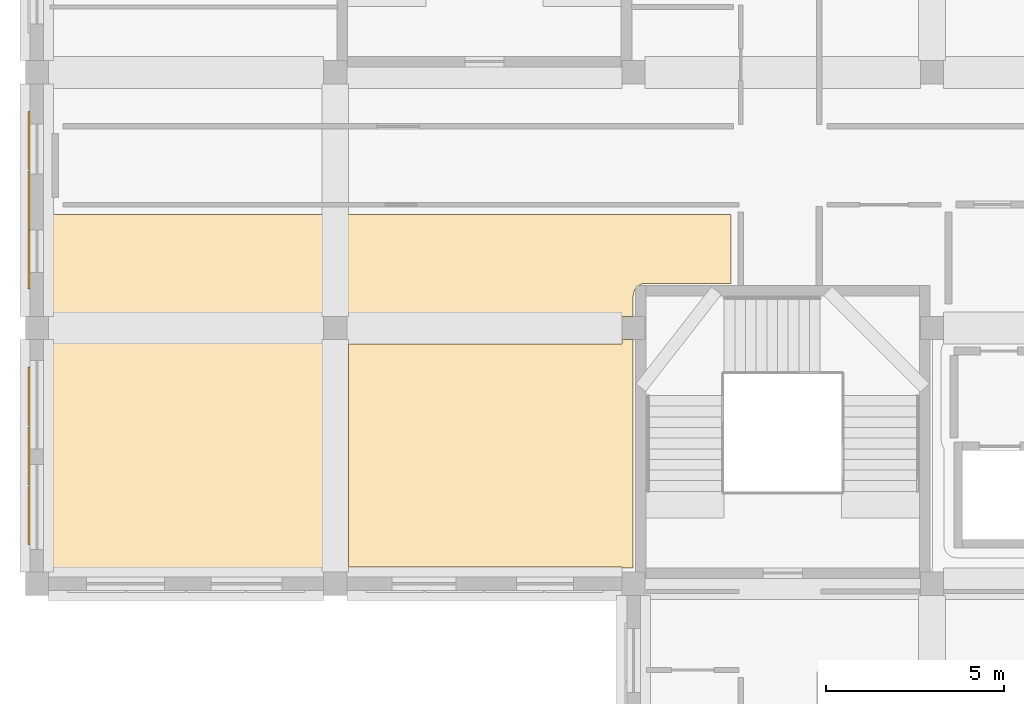
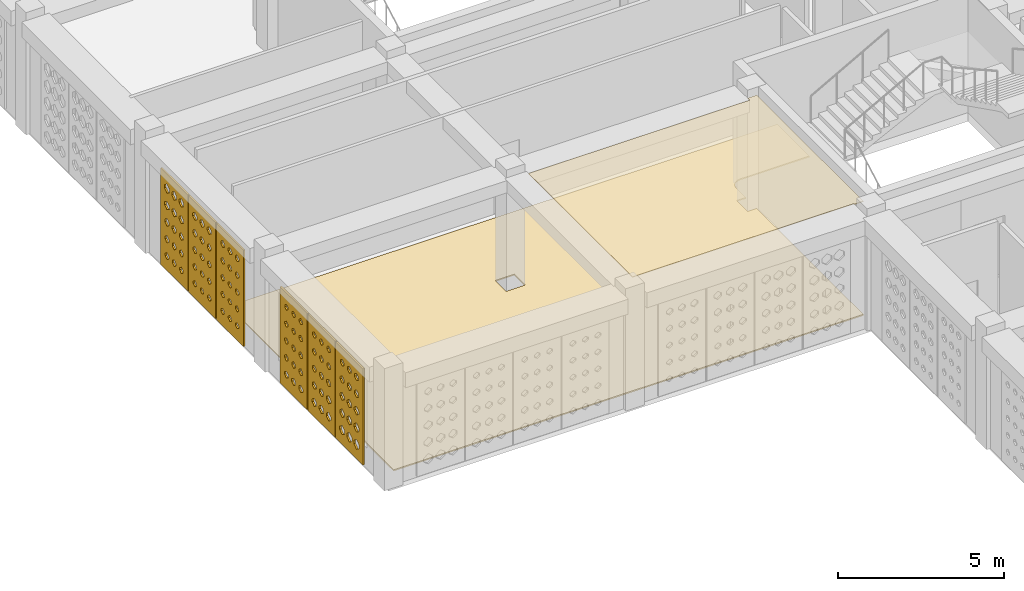
# One storey, part 20 of 47: 8 coverings.
"""IFC4 building model written with IfcOpenShell, lengths in metres."""

from ifc_helpers import new_model, si_unit, derived_unit, direction, frame, origin, place, context, subcontext, project, spatial, polyline, outline, extrude, material, layer, layer_set, type_object, element, save


model = new_model("IFC4")

# Units and contexts
model_context = context("Model", 3, precision=1e-05, world=origin(), true_north=direction((0.0, 1.0)))
body_context = subcontext(model_context, "Body", "Model", "MODEL_VIEW")
ifc_project = project(units=[si_unit("LENGTHUNIT", "METRE"), si_unit("AREAUNIT", "SQUARE_METRE"), si_unit("VOLUMEUNIT", "CUBIC_METRE"), si_unit("PLANEANGLEUNIT", "RADIAN"), si_unit("MASSUNIT", "GRAM", prefix="KILO"), derived_unit("THERMALTRANSMITTANCEUNIT", [(si_unit("POWERUNIT", "WATT"), 1), (si_unit("LENGTHUNIT", "METRE"), -2), (si_unit("THERMODYNAMICTEMPERATUREUNIT", "KELVIN"), -1)])], contexts=[model_context])

# Site, building, storey
site_placement = place(None, origin())
site = spatial("IfcSite", under=ifc_project, at=site_placement, CompositionType="ELEMENT")
building_placement = place(site_placement, origin())
building = spatial("IfcBuilding", under=site, at=building_placement, Name="Veybourne Emporium", CompositionType="ELEMENT")
storey_placement = place(building_placement, frame((0.0, 0.0, 23.39990234375)))
storey = spatial("IfcBuildingStorey", under=building, at=storey_placement, Name="L05", CompositionType="ELEMENT", Elevation=23.39990234375)

# Coverings
ifc_material_1 = material(Name="Mineral Acoustic Ceiling", Category="gypsum")
ifc_layer_1 = layer(ifc_material_1, 0.02490234375)
ifc_layer_set_1 = layer_set([ifc_layer_1], Name="Mineral Acoustic Ceiling")
covering_type_1 = type_object("IfcCoveringType", Name="Ceiling_CLG-01", PredefinedType="CEILING", material=ifc_layer_set_1)
covering_1_placement = place(storey_placement, frame((0.0, 0.0, 4.18505859375)))
element("IfcCovering", 1, at=covering_1_placement, inside=storey, type_object=covering_type_1, Name="L05 coffered acoustic ceiling 03", PredefinedType="CEILING", context=body_context, shape_type="SweptSolid", body=[
    extrude(outline(polyline([(16.7900390625, 21.27001953125), (16.7900390625, 14.85009765625), (16.790283203125, 14.840087890625), (16.790283203125, 14.840087890625), (16.47509765625, 14.840087890625), (16.47509765625, 14.873046875), (8.77294921875, 14.873046875), (8.77294921875, 21.152099609375), (16.47509765625, 21.152099609375), (16.47509765625, 21.27001953125), (16.7900390625, 21.27001953125)])), origin(), (0.0, 0.0, 1.0), 0.025146484375),
])
ifc_material_2 = material(Name="Venetian Terrazzo Flooring", Category="masonry")
ifc_layer_2 = layer(ifc_material_2, 0.044921875)
ifc_layer_set_2 = layer_set([ifc_layer_2], Name="Venetian Terrazzo Flooring")
covering_type_2 = type_object("IfcCoveringType", Name="Flooring_FLR-01", PredefinedType="FLOORING", material=ifc_layer_set_2)
covering_2_placement = place(storey_placement, origin())
element("IfcCovering", 2, at=covering_2_placement, inside=storey, type_object=covering_type_2, Name="L05 floor finish 03", PredefinedType="FLOORING", context=body_context, shape_type="SweptSolid", body=[
    extrude(outline(polyline([(0.453369140625, 24.8212890625), (0.471435546875, 24.81396484375), (0.486083984375, 24.80859375), (0.5048828125, 24.802978515625), (0.520263671875, 24.799072265625), (0.53955078125, 24.795166015625), (0.554931640625, 24.79296875), (0.574462890625, 24.791015625), (0.590087890625, 24.790283203125), (0.60009765625, 24.7900390625), (19.5400390625, 24.7900390625), (19.5400390625, 22.860107421875), (17.14990234375, 22.860107421875), (17.14013671875, 22.85986328125), (17.12451171875, 22.85888671875), (17.10498046875, 22.857177734375), (17.089599609375, 22.854736328125), (17.070068359375, 22.850830078125), (17.054931640625, 22.84716796875), (17.0361328125, 22.84130859375), (17.021484375, 22.836181640625), (17.003173828125, 22.82861328125), (16.989013671875, 22.822021484375), (16.9716796875, 22.812744140625), (16.958251953125, 22.8046875), (16.94189453125, 22.793701171875), (16.92919921875, 22.7841796875), (16.914306640625, 22.77197265625), (16.902587890625, 22.761474609375), (16.888671875, 22.747314453125), (16.878173828125, 22.73583984375), (16.86572265625, 22.720703125), (16.8564453125, 22.7080078125), (16.845458984375, 22.691650390625), (16.83740234375, 22.67822265625), (16.828125, 22.660888671875), (16.8212890625, 22.646728515625), (16.81396484375, 22.628662109375), (16.80859375, 22.61376953125), (16.802978515625, 22.594970703125), (16.799072265625, 22.579833984375), (16.795166015625, 22.560546875), (16.79296875, 22.544921875), (16.791015625, 22.525390625), (16.790283203125, 22.509765625), (16.7900390625, 22.5), (16.7900390625, 21.929931640625), (16.469970703125, 21.929931640625), (16.469970703125, 21.27001953125), (16.7900390625, 21.27001953125), (16.7900390625, 14.85009765625), (16.790283203125, 14.840087890625), (16.790283203125, 14.840087890625), (0.43994140625, 14.840087890625), (0.43994140625, 24.82763671875), (0.453369140625, 24.8212890625)]), holes=[polyline([(8.070068359375, 21.929931640625), (8.070068359375, 21.27001953125), (8.72998046875, 21.27001953125), (8.72998046875, 21.929931640625), (8.070068359375, 21.929931640625)])]), origin(), (0.0, 0.0, 1.0), 0.045166015625),
])
ifc_material_3 = material(Name="Warm-White Perforated Aluminium Screen Alloy", Category="aluminium")
ifc_layer_3 = layer(ifc_material_3, 0.06005859375)
ifc_layer_set_3 = layer_set([ifc_layer_3], Name="Warm-White Perforated Aluminium Screen Alloy")
covering_type_3 = type_object("IfcCoveringType", Name="WaveScreen_SCR-01", PredefinedType="CLADDING", material=ifc_layer_set_3)
covering_3_placement = place(storey_placement, frame((-0.248046875, 16.320068359375, 1.830078125), z_axis=(1.0, 0.0, 0.0), x_axis=(0.0, 1.0, 0.0)))
element("IfcCovering", 3, at=covering_3_placement, inside=storey, type_object=covering_type_3, Name="L05 wave-perforated aluminium screen SCR-01 (2.1)", PredefinedType="CLADDING", context=body_context, shape_type="SweptSolid", body=[
    extrude(outline(polyline([(-0.81982421875, -1.77001953125), (0.81982421875, -1.77001953125), (0.81982421875, 1.77001953125), (-0.81982421875, 1.77001953125), (-0.81982421875, -1.77001953125)]), holes=[polyline([(-0.433349609375, -1.056884765625), (-0.2734375, -1.174072265625), (-0.2734375, -1.305908203125), (-0.433349609375, -1.423095703125), (-0.59326171875, -1.305908203125), (-0.59326171875, -1.174072265625), (-0.433349609375, -1.056884765625)]), polyline([(-0.433349609375, -0.45068359375), (-0.284912109375, -0.55908203125), (-0.284912109375, -0.680908203125), (-0.433349609375, -0.789306640625), (-0.581787109375, -0.680908203125), (-0.581787109375, -0.55908203125), (-0.433349609375, -0.45068359375)]), polyline([(-0.433349609375, 0.156005859375), (-0.2958984375, 0.05615234375), (-0.2958984375, -0.05615234375), (-0.433349609375, -0.156005859375), (-0.57080078125, -0.05615234375), (-0.57080078125, 0.05615234375), (-0.433349609375, 0.156005859375)]), polyline([(-0.433349609375, 0.763671875), (-0.305908203125, 0.671630859375), (-0.305908203125, 0.568359375), (-0.433349609375, 0.476318359375), (-0.560791015625, 0.568359375), (-0.560791015625, 0.671630859375), (-0.433349609375, 0.763671875)]), polyline([(-0.433349609375, 1.372802734375), (-0.314697265625, 1.287841796875), (-0.314697265625, 1.192138671875), (-0.433349609375, 1.107177734375), (-0.552001953125, 1.192138671875), (-0.552001953125, 1.287841796875), (-0.433349609375, 1.372802734375)]), polyline([(0.0, -1.06298828125), (0.15478515625, -1.17626953125), (0.15478515625, -1.3037109375), (0.0, -1.4169921875), (-0.15478515625, -1.3037109375), (-0.15478515625, -1.17626953125), (0.0, -1.06298828125)]), polyline([(0.0, -0.456787109375), (0.143310546875, -0.561279296875), (0.143310546875, -0.6787109375), (0.0, -0.783203125), (-0.143310546875, -0.6787109375), (-0.143310546875, -0.561279296875), (0.0, -0.456787109375)]), polyline([(0.0, 0.150146484375), (0.1328125, 0.05419921875), (0.1328125, -0.05419921875), (0.0, -0.150146484375), (-0.1328125, -0.05419921875), (-0.1328125, 0.05419921875), (0.0, 0.150146484375)]), polyline([(0.0, 0.758544921875), (0.123291015625, 0.669921875), (0.123291015625, 0.570068359375), (0.0, 0.4814453125), (-0.123291015625, 0.570068359375), (-0.123291015625, 0.669921875), (0.0, 0.758544921875)]), polyline([(0.0, 1.36865234375), (0.115234375, 1.286376953125), (0.115234375, 1.193603515625), (0.0, 1.111328125), (-0.115234375, 1.193603515625), (-0.115234375, 1.286376953125), (0.0, 1.36865234375)]), polyline([(0.433349609375, -1.0693359375), (0.5830078125, -1.1787109375), (0.5830078125, -1.301513671875), (0.433349609375, -1.41064453125), (0.28369140625, -1.301513671875), (0.28369140625, -1.1787109375), (0.433349609375, -1.0693359375)]), polyline([(0.433349609375, -0.462890625), (0.572021484375, -0.5634765625), (0.572021484375, -0.676513671875), (0.433349609375, -0.777099609375), (0.294677734375, -0.676513671875), (0.294677734375, -0.5634765625), (0.433349609375, -0.462890625)]), polyline([(0.433349609375, 0.144775390625), (0.561767578125, 0.052001953125), (0.561767578125, -0.052001953125), (0.433349609375, -0.144775390625), (0.3046875, -0.052001953125), (0.3046875, 0.052001953125), (0.433349609375, 0.144775390625)]), polyline([(0.433349609375, 0.75390625), (0.552978515625, 0.668212890625), (0.552978515625, 0.57177734375), (0.433349609375, 0.486083984375), (0.313720703125, 0.57177734375), (0.313720703125, 0.668212890625), (0.433349609375, 0.75390625)]), polyline([(0.433349609375, 1.36474609375), (0.54541015625, 1.284912109375), (0.54541015625, 1.195068359375), (0.433349609375, 1.115234375), (0.3212890625, 1.195068359375), (0.3212890625, 1.284912109375), (0.433349609375, 1.36474609375)])]), origin(), (0.0, 0.0, 1.0), 0.06005859375),
])
ifc_layer_4 = layer(ifc_material_3, 0.06005859375)
ifc_layer_set_4 = layer_set([ifc_layer_4], Name="Warm-White Perforated Aluminium Screen Alloy")
covering_type_4 = type_object("IfcCoveringType", Name="WaveScreen_SCR-02", PredefinedType="CLADDING", material=ifc_layer_set_4)
covering_4_placement = place(storey_placement, frame((-0.248046875, 18.0, 1.830078125), z_axis=(1.0, 0.0, 0.0), x_axis=(0.0, 1.0, 0.0)))
element("IfcCovering", 4, at=covering_4_placement, inside=storey, type_object=covering_type_4, Name="L05 wave-perforated aluminium screen SCR-02 (2.2)", PredefinedType="CLADDING", context=body_context, shape_type="SweptSolid", body=[
    extrude(outline(polyline([(-0.81982421875, -1.77001953125), (0.81982421875, -1.77001953125), (0.81982421875, 1.77001953125), (-0.81982421875, 1.77001953125), (-0.81982421875, -1.77001953125)]), holes=[polyline([(-0.433349609375, -1.080810546875), (-0.293212890625, -1.1826171875), (-0.293212890625, -1.29736328125), (-0.433349609375, -1.399169921875), (-0.573486328125, -1.29736328125), (-0.573486328125, -1.1826171875), (-0.433349609375, -1.080810546875)]), polyline([(-0.433349609375, -0.473388671875), (-0.30322265625, -0.567138671875), (-0.30322265625, -0.6728515625), (-0.433349609375, -0.7666015625), (-0.563232421875, -0.6728515625), (-0.563232421875, -0.567138671875), (-0.433349609375, -0.473388671875)]), polyline([(-0.433349609375, 0.135498046875), (-0.3125, 0.048828125), (-0.3125, -0.048828125), (-0.433349609375, -0.135498046875), (-0.55419921875, -0.048828125), (-0.55419921875, 0.048828125), (-0.433349609375, 0.135498046875)]), polyline([(-0.433349609375, 0.74609375), (-0.3203125, 0.665283203125), (-0.3203125, 0.57470703125), (-0.433349609375, 0.493896484375), (-0.54638671875, 0.57470703125), (-0.54638671875, 0.665283203125), (-0.433349609375, 0.74609375)]), polyline([(-0.433349609375, 1.358642578125), (-0.326416015625, 1.28271484375), (-0.326416015625, 1.197265625), (-0.433349609375, 1.121337890625), (-0.540283203125, 1.197265625), (-0.540283203125, 1.28271484375), (-0.433349609375, 1.358642578125)]), polyline([(0.0, -1.086669921875), (0.135498046875, -1.184814453125), (0.135498046875, -1.295166015625), (0.0, -1.393310546875), (-0.135498046875, -1.295166015625), (-0.135498046875, -1.184814453125), (0.0, -1.086669921875)]), polyline([(0.0, -0.478515625), (0.125732421875, -0.569091796875), (0.125732421875, -0.6708984375), (0.0, -0.761474609375), (-0.125732421875, -0.6708984375), (-0.125732421875, -0.569091796875), (0.0, -0.478515625)]), polyline([(0.0, 0.131103515625), (0.1171875, 0.047119140625), (0.1171875, -0.047119140625), (0.0, -0.131103515625), (-0.1171875, -0.047119140625), (-0.1171875, 0.047119140625), (0.0, 0.131103515625)]), polyline([(0.0, 0.742431640625), (0.110107421875, 0.6640625), (0.110107421875, 0.575927734375), (0.0, 0.49755859375), (-0.110107421875, 0.575927734375), (-0.110107421875, 0.6640625), (0.0, 0.742431640625)]), polyline([(0.0, 1.35595703125), (0.10498046875, 1.28173828125), (0.10498046875, 1.1982421875), (0.0, 1.1240234375), (-0.10498046875, 1.1982421875), (-0.10498046875, 1.28173828125), (0.0, 1.35595703125)]), polyline([(0.433349609375, -1.092041015625), (0.564208984375, -1.186767578125), (0.564208984375, -1.293212890625), (0.433349609375, -1.387939453125), (0.30224609375, -1.293212890625), (0.30224609375, -1.186767578125), (0.433349609375, -1.092041015625)]), polyline([(0.433349609375, -0.4833984375), (0.55517578125, -0.57080078125), (0.55517578125, -0.669189453125), (0.433349609375, -0.756591796875), (0.3115234375, -0.669189453125), (0.3115234375, -0.57080078125), (0.433349609375, -0.4833984375)]), polyline([(0.433349609375, 0.126953125), (0.547119140625, 0.045654296875), (0.547119140625, -0.045654296875), (0.433349609375, -0.126953125), (0.319580078125, -0.045654296875), (0.319580078125, 0.045654296875), (0.433349609375, 0.126953125)]), polyline([(0.433349609375, 0.7392578125), (0.541015625, 0.662841796875), (0.541015625, 0.5771484375), (0.433349609375, 0.500732421875), (0.32568359375, 0.5771484375), (0.32568359375, 0.662841796875), (0.433349609375, 0.7392578125)]), polyline([(0.433349609375, 1.353759765625), (0.53662109375, 1.281005859375), (0.53662109375, 1.198974609375), (0.433349609375, 1.126220703125), (0.330078125, 1.198974609375), (0.330078125, 1.281005859375), (0.433349609375, 1.353759765625)])]), origin(), (0.0, 0.0, 1.0), 0.06005859375),
])
covering_5_placement = place(storey_placement, frame((-0.248046875, 23.52001953125, 1.830078125), z_axis=(1.0, 0.0, 0.0), x_axis=(0.0, 1.0, 0.0)))
element("IfcCovering", 5, at=covering_5_placement, inside=storey, type_object=covering_type_4, Name="L05 wave-perforated aluminium screen SCR-02 (3.1)", PredefinedType="CLADDING", context=body_context, shape_type="SweptSolid", body=[
    extrude(outline(polyline([(-0.81982421875, -1.77001953125), (0.81982421875, -1.77001953125), (0.81982421875, 1.77001953125), (-0.81982421875, 1.77001953125), (-0.81982421875, -1.77001953125)]), holes=[polyline([(-0.433349609375, -1.12890625), (-0.33251953125, -1.199951171875), (-0.33251953125, -1.280029296875), (-0.433349609375, -1.35107421875), (-0.5341796875, -1.280029296875), (-0.5341796875, -1.199951171875), (-0.433349609375, -1.12890625)]), polyline([(-0.433349609375, -0.510009765625), (-0.333251953125, -0.580322265625), (-0.333251953125, -0.65966796875), (-0.433349609375, -0.72998046875), (-0.533203125, -0.65966796875), (-0.533203125, -0.580322265625), (-0.433349609375, -0.510009765625)]), polyline([(-0.433349609375, 0.111328125), (-0.332275390625, 0.0400390625), (-0.332275390625, -0.0400390625), (-0.433349609375, -0.111328125), (-0.534423828125, -0.0400390625), (-0.534423828125, 0.0400390625), (-0.433349609375, 0.111328125)]), polyline([(-0.433349609375, 0.7353515625), (-0.3291015625, 0.66162109375), (-0.3291015625, 0.57861328125), (-0.433349609375, 0.504638671875), (-0.53759765625, 0.57861328125), (-0.53759765625, 0.66162109375), (-0.433349609375, 0.7353515625)]), polyline([(-0.433349609375, 1.361328125), (-0.323974609375, 1.28369140625), (-0.323974609375, 1.1962890625), (-0.433349609375, 1.11865234375), (-0.542724609375, 1.1962890625), (-0.542724609375, 1.28369140625), (-0.433349609375, 1.361328125)]), polyline([(0.0, -1.129638671875), (0.10009765625, -1.2001953125), (0.10009765625, -1.27978515625), (0.0, -1.350341796875), (-0.10009765625, -1.27978515625), (-0.10009765625, -1.2001953125), (0.0, -1.129638671875)]), polyline([(0.0, -0.509765625), (0.100341796875, -0.580322265625), (0.100341796875, -0.65966796875), (0.0, -0.730224609375), (-0.100341796875, -0.65966796875), (-0.100341796875, -0.580322265625), (0.0, -0.509765625)]), polyline([(0.0, 0.11279296875), (0.102294921875, 0.04052734375), (0.102294921875, -0.04052734375), (0.0, -0.11279296875), (-0.102294921875, -0.04052734375), (-0.102294921875, 0.04052734375), (0.0, 0.11279296875)]), polyline([(0.0, 0.73779296875), (0.106201171875, 0.662353515625), (0.106201171875, 0.57763671875), (0.0, 0.502197265625), (-0.106201171875, 0.57763671875), (-0.106201171875, 0.662353515625), (0.0, 0.73779296875)]), polyline([(0.0, 1.364990234375), (0.1123046875, 1.284912109375), (0.1123046875, 1.195068359375), (0.0, 1.114990234375), (-0.1123046875, 1.195068359375), (-0.1123046875, 1.284912109375), (0.0, 1.364990234375)]), polyline([(0.433349609375, -1.1298828125), (0.533203125, -1.200439453125), (0.533203125, -1.279541015625), (0.433349609375, -1.35009765625), (0.333251953125, -1.279541015625), (0.333251953125, -1.200439453125), (0.433349609375, -1.1298828125)]), polyline([(0.433349609375, -0.5087890625), (0.5341796875, -0.580078125), (0.5341796875, -0.659912109375), (0.433349609375, -0.731201171875), (0.33251953125, -0.659912109375), (0.33251953125, -0.580078125), (0.433349609375, -0.5087890625)]), polyline([(0.433349609375, 0.11474609375), (0.537109375, 0.041259765625), (0.537109375, -0.041259765625), (0.433349609375, -0.11474609375), (0.329345703125, -0.041259765625), (0.329345703125, 0.041259765625), (0.433349609375, 0.11474609375)]), polyline([(0.433349609375, 0.74072265625), (0.5419921875, 0.663330078125), (0.5419921875, 0.57666015625), (0.433349609375, 0.499267578125), (0.32470703125, 0.57666015625), (0.32470703125, 0.663330078125), (0.433349609375, 0.74072265625)]), polyline([(0.433349609375, 1.368896484375), (0.548583984375, 1.286376953125), (0.548583984375, 1.193603515625), (0.433349609375, 1.111083984375), (0.318115234375, 1.193603515625), (0.318115234375, 1.286376953125), (0.433349609375, 1.368896484375)])]), origin(), (0.0, 0.0, 1.0), 0.06005859375),
])
ifc_layer_5 = layer(ifc_material_3, 0.06005859375)
ifc_layer_set_5 = layer_set([ifc_layer_5], Name="Warm-White Perforated Aluminium Screen Alloy")
covering_type_5 = type_object("IfcCoveringType", Name="WaveScreen_SCR-03", PredefinedType="CLADDING", material=ifc_layer_set_5)
covering_6_placement = place(storey_placement, frame((-0.248046875, 19.679931640625, 1.830078125), z_axis=(1.0, 0.0, 0.0), x_axis=(0.0, 1.0, 0.0)))
element("IfcCovering", 6, at=covering_6_placement, inside=storey, type_object=covering_type_5, Name="L05 wave-perforated aluminium screen SCR-03 (2.3)", PredefinedType="CLADDING", context=body_context, shape_type="SweptSolid", body=[
    extrude(outline(polyline([(-0.81982421875, -1.77001953125), (0.81982421875, -1.77001953125), (0.81982421875, 1.77001953125), (-0.81982421875, 1.77001953125), (-0.81982421875, -1.77001953125)]), holes=[polyline([(-0.433349609375, -1.101806640625), (-0.310302734375, -1.190185546875), (-0.310302734375, -1.289794921875), (-0.433349609375, -1.37841796875), (-0.556396484375, -1.289794921875), (-0.556396484375, -1.190185546875), (-0.433349609375, -1.101806640625)]), polyline([(-0.433349609375, -0.49169921875), (-0.318359375, -0.57373046875), (-0.318359375, -0.666259765625), (-0.433349609375, -0.748291015625), (-0.54833984375, -0.666259765625), (-0.54833984375, -0.57373046875), (-0.433349609375, -0.49169921875)]), polyline([(-0.433349609375, 0.120361328125), (-0.324951171875, 0.043212890625), (-0.324951171875, -0.043212890625), (-0.433349609375, -0.120361328125), (-0.541748046875, -0.043212890625), (-0.541748046875, 0.043212890625), (-0.433349609375, 0.120361328125)]), polyline([(-0.433349609375, 0.734619140625), (-0.32958984375, 0.6611328125), (-0.32958984375, 0.578857421875), (-0.433349609375, 0.505615234375), (-0.537109375, 0.578857421875), (-0.537109375, 0.6611328125), (-0.433349609375, 0.734619140625)]), polyline([(-0.433349609375, 1.35107421875), (-0.33251953125, 1.280029296875), (-0.33251953125, 1.199951171875), (-0.433349609375, 1.12890625), (-0.5341796875, 1.199951171875), (-0.5341796875, 1.280029296875), (-0.433349609375, 1.35107421875)]), polyline([(0.0, -1.1064453125), (0.119384765625, -1.19189453125), (0.119384765625, -1.2880859375), (0.0, -1.37353515625), (-0.119384765625, -1.2880859375), (-0.119384765625, -1.19189453125), (0.0, -1.1064453125)]), polyline([(0.0, -0.49560546875), (0.11181640625, -0.5751953125), (0.11181640625, -0.664794921875), (0.0, -0.744384765625), (-0.11181640625, -0.664794921875), (-0.11181640625, -0.5751953125), (0.0, -0.49560546875)]), polyline([(0.0, 0.117431640625), (0.106201171875, 0.042236328125), (0.106201171875, -0.042236328125), (0.0, -0.117431640625), (-0.106201171875, -0.042236328125), (-0.106201171875, 0.042236328125), (0.0, 0.117431640625)]), polyline([(0.0, 0.732666015625), (0.102294921875, 0.66064453125), (0.102294921875, 0.579345703125), (0.0, 0.50732421875), (-0.102294921875, 0.579345703125), (-0.102294921875, 0.66064453125), (0.0, 0.732666015625)]), polyline([(0.0, 1.350341796875), (0.10009765625, 1.27978515625), (0.10009765625, 1.2001953125), (0.0, 1.129638671875), (-0.10009765625, 1.2001953125), (-0.10009765625, 1.27978515625), (0.0, 1.350341796875)]), polyline([(0.433349609375, -1.110595703125), (0.549072265625, -1.193603515625), (0.549072265625, -1.28662109375), (0.433349609375, -1.369384765625), (0.317626953125, -1.28662109375), (0.317626953125, -1.193603515625), (0.433349609375, -1.110595703125)]), polyline([(0.433349609375, -0.498779296875), (0.54248046875, -0.576416015625), (0.54248046875, -0.66357421875), (0.433349609375, -0.7412109375), (0.32421875, -0.66357421875), (0.32421875, -0.576416015625), (0.433349609375, -0.498779296875)]), polyline([(0.433349609375, 0.114990234375), (0.537353515625, 0.04150390625), (0.537353515625, -0.04150390625), (0.433349609375, -0.114990234375), (0.3291015625, -0.04150390625), (0.3291015625, 0.04150390625), (0.433349609375, 0.114990234375)]), polyline([(0.433349609375, 0.731201171875), (0.534423828125, 0.66015625), (0.534423828125, 0.579833984375), (0.433349609375, 0.5087890625), (0.332275390625, 0.579833984375), (0.332275390625, 0.66015625), (0.433349609375, 0.731201171875)]), polyline([(0.433349609375, 1.35009765625), (0.533203125, 1.279541015625), (0.533203125, 1.200439453125), (0.433349609375, 1.1298828125), (0.333251953125, 1.200439453125), (0.333251953125, 1.279541015625), (0.433349609375, 1.35009765625)])]), origin(), (0.0, 0.0, 1.0), 0.06005859375),
])
covering_7_placement = place(storey_placement, frame((-0.248046875, 25.199951171875, 1.830078125), z_axis=(1.0, 0.0, 0.0), x_axis=(0.0, 1.0, 0.0)))
element("IfcCovering", 7, at=covering_7_placement, inside=storey, type_object=covering_type_5, Name="L05 wave-perforated aluminium screen SCR-03 (3.2)", PredefinedType="CLADDING", context=body_context, shape_type="SweptSolid", body=[
    extrude(outline(polyline([(-0.81982421875, -1.77001953125), (0.81982421875, -1.77001953125), (0.81982421875, 1.77001953125), (-0.81982421875, 1.77001953125), (-0.81982421875, -1.77001953125)]), holes=[polyline([(-0.433349609375, -1.129150390625), (-0.332763671875, -1.2001953125), (-0.332763671875, -1.27978515625), (-0.433349609375, -1.350830078125), (-0.533935546875, -1.27978515625), (-0.533935546875, -1.2001953125), (-0.433349609375, -1.129150390625)]), polyline([(-0.433349609375, -0.506103515625), (-0.330078125, -0.578857421875), (-0.330078125, -0.6611328125), (-0.433349609375, -0.73388671875), (-0.53662109375, -0.6611328125), (-0.53662109375, -0.578857421875), (-0.433349609375, -0.506103515625)]), polyline([(-0.433349609375, 0.11962890625), (-0.325439453125, 0.043212890625), (-0.325439453125, -0.043212890625), (-0.433349609375, -0.11962890625), (-0.541259765625, -0.043212890625), (-0.541259765625, 0.043212890625), (-0.433349609375, 0.11962890625)]), polyline([(-0.433349609375, 0.747314453125), (-0.319091796875, 0.666015625), (-0.319091796875, 0.57421875), (-0.433349609375, 0.49267578125), (-0.547607421875, 0.57421875), (-0.547607421875, 0.666015625), (-0.433349609375, 0.747314453125)]), polyline([(-0.433349609375, 1.377197265625), (-0.31103515625, 1.289306640625), (-0.31103515625, 1.190673828125), (-0.433349609375, 1.102783203125), (-0.555419921875, 1.190673828125), (-0.555419921875, 1.289306640625), (-0.433349609375, 1.377197265625)]), polyline([(0.0, -1.1279296875), (0.1015625, -1.19970703125), (0.1015625, -1.2802734375), (0.0, -1.35205078125), (-0.1015625, -1.2802734375), (-0.1015625, -1.19970703125), (0.0, -1.1279296875)]), polyline([(0.0, -0.503662109375), (0.10498046875, -0.578125), (0.10498046875, -0.661865234375), (0.0, -0.736328125), (-0.10498046875, -0.661865234375), (-0.10498046875, -0.578125), (0.0, -0.503662109375)]), polyline([(0.0, 0.122802734375), (0.110595703125, 0.044189453125), (0.110595703125, -0.044189453125), (0.0, -0.122802734375), (-0.110595703125, -0.044189453125), (-0.110595703125, 0.044189453125), (0.0, 0.122802734375)]), polyline([(0.0, 0.75146484375), (0.11767578125, 0.66748046875), (0.11767578125, 0.572509765625), (0.0, 0.488525390625), (-0.11767578125, 0.572509765625), (-0.11767578125, 0.66748046875), (0.0, 0.75146484375)]), polyline([(0.0, 1.382080078125), (0.126220703125, 1.291015625), (0.126220703125, 1.18896484375), (0.0, 1.097900390625), (-0.126220703125, 1.18896484375), (-0.126220703125, 1.291015625), (0.0, 1.382080078125)]), polyline([(0.433349609375, -1.12646484375), (0.536376953125, -1.19921875), (0.536376953125, -1.281005859375), (0.433349609375, -1.353515625), (0.330322265625, -1.281005859375), (0.330322265625, -1.19921875), (0.433349609375, -1.12646484375)]), polyline([(0.433349609375, -0.501220703125), (0.540771484375, -0.5771484375), (0.540771484375, -0.662841796875), (0.433349609375, -0.739013671875), (0.325927734375, -0.662841796875), (0.325927734375, -0.5771484375), (0.433349609375, -0.501220703125)]), polyline([(0.433349609375, 0.12646484375), (0.546875, 0.04541015625), (0.546875, -0.04541015625), (0.433349609375, -0.12646484375), (0.31982421875, -0.04541015625), (0.31982421875, 0.04541015625), (0.433349609375, 0.12646484375)]), polyline([(0.433349609375, 0.756103515625), (0.5546875, 0.6689453125), (0.5546875, 0.571044921875), (0.433349609375, 0.48388671875), (0.31201171875, 0.571044921875), (0.31201171875, 0.6689453125), (0.433349609375, 0.756103515625)]), polyline([(0.433349609375, 1.38720703125), (0.563720703125, 1.29296875), (0.563720703125, 1.18701171875), (0.433349609375, 1.0927734375), (0.302734375, 1.18701171875), (0.302734375, 1.29296875), (0.433349609375, 1.38720703125)])]), origin(), (0.0, 0.0, 1.0), 0.06005859375),
])
ifc_layer_6 = layer(ifc_material_3, 0.06005859375)
ifc_layer_set_6 = layer_set([ifc_layer_6], Name="Warm-White Perforated Aluminium Screen Alloy")
covering_type_6 = type_object("IfcCoveringType", Name="WaveScreen_SCR-04", PredefinedType="CLADDING", material=ifc_layer_set_6)
covering_8_placement = place(storey_placement, frame((-0.248046875, 26.8798828125, 1.830078125), z_axis=(1.0, 0.0, 0.0), x_axis=(0.0, 1.0, 0.0)))
element("IfcCovering", 8, at=covering_8_placement, inside=storey, type_object=covering_type_6, Name="L05 wave-perforated aluminium screen SCR-04 (3.3)", PredefinedType="CLADDING", context=body_context, shape_type="SweptSolid", body=[
    extrude(outline(polyline([(-0.81982421875, -1.77001953125), (0.81982421875, -1.77001953125), (0.81982421875, 1.77001953125), (-0.81982421875, 1.77001953125), (-0.81982421875, -1.77001953125)]), holes=[polyline([(-0.433349609375, -1.1220703125), (-0.326904296875, -1.197509765625), (-0.326904296875, -1.282470703125), (-0.433349609375, -1.35791015625), (-0.539794921875, -1.282470703125), (-0.539794921875, -1.197509765625), (-0.433349609375, -1.1220703125)]), polyline([(-0.433349609375, -0.494873046875), (-0.32080078125, -0.574951171875), (-0.32080078125, -0.6650390625), (-0.433349609375, -0.7451171875), (-0.5458984375, -0.6650390625), (-0.5458984375, -0.574951171875), (-0.433349609375, -0.494873046875)]), polyline([(-0.433349609375, 0.134521484375), (-0.313232421875, 0.04833984375), (-0.313232421875, -0.04833984375), (-0.433349609375, -0.134521484375), (-0.55322265625, -0.04833984375), (-0.55322265625, 0.04833984375), (-0.433349609375, 0.134521484375)]), polyline([(-0.433349609375, 0.765380859375), (-0.30419921875, 0.67236328125), (-0.30419921875, 0.567626953125), (-0.433349609375, 0.474609375), (-0.562255859375, 0.567626953125), (-0.562255859375, 0.67236328125), (-0.433349609375, 0.765380859375)]), polyline([(-0.433349609375, 1.397705078125), (-0.294189453125, 1.296875), (-0.294189453125, 1.18310546875), (-0.433349609375, 1.082275390625), (-0.572509765625, 1.18310546875), (-0.572509765625, 1.296875), (-0.433349609375, 1.397705078125)]), polyline([(0.0, -1.119140625), (0.10888671875, -1.196533203125), (0.10888671875, -1.283447265625), (0.0, -1.36083984375), (-0.10888671875, -1.283447265625), (-0.10888671875, -1.196533203125), (0.0, -1.119140625)]), polyline([(0.0, -0.490966796875), (0.115478515625, -0.573486328125), (0.115478515625, -0.66650390625), (0.0, -0.7490234375), (-0.115478515625, -0.66650390625), (-0.115478515625, -0.573486328125), (0.0, -0.490966796875)]), polyline([(0.0, 0.13916015625), (0.123779296875, 0.050048828125), (0.123779296875, -0.050048828125), (0.0, -0.13916015625), (-0.123779296875, -0.050048828125), (-0.123779296875, 0.050048828125), (0.0, 0.13916015625)]), polyline([(0.0, 0.770751953125), (0.13330078125, 0.67431640625), (0.13330078125, 0.565673828125), (0.0, 0.46923828125), (-0.13330078125, 0.565673828125), (-0.13330078125, 0.67431640625), (0.0, 0.770751953125)]), polyline([(0.0, 1.40380859375), (0.14404296875, 1.299072265625), (0.14404296875, 1.180908203125), (0.0, 1.076171875), (-0.14404296875, 1.180908203125), (-0.14404296875, 1.299072265625), (0.0, 1.40380859375)]), polyline([(0.433349609375, -1.115478515625), (0.545166015625, -1.1953125), (0.545166015625, -1.284912109375), (0.433349609375, -1.364501953125), (0.321533203125, -1.284912109375), (0.321533203125, -1.1953125), (0.433349609375, -1.115478515625)]), polyline([(0.433349609375, -0.486572265625), (0.552490234375, -0.572021484375), (0.552490234375, -0.66796875), (0.433349609375, -0.75341796875), (0.314208984375, -0.66796875), (0.314208984375, -0.572021484375), (0.433349609375, -0.486572265625)]), polyline([(0.433349609375, 0.144287109375), (0.561279296875, 0.052001953125), (0.561279296875, -0.052001953125), (0.433349609375, -0.144287109375), (0.305419921875, -0.052001953125), (0.305419921875, 0.052001953125), (0.433349609375, 0.144287109375)]), polyline([(0.433349609375, 0.776611328125), (0.5712890625, 0.67626953125), (0.5712890625, 0.563720703125), (0.433349609375, 0.46337890625), (0.29541015625, 0.563720703125), (0.29541015625, 0.67626953125), (0.433349609375, 0.776611328125)]), polyline([(0.433349609375, 1.409912109375), (0.582275390625, 1.30126953125), (0.582275390625, 1.1787109375), (0.433349609375, 1.070068359375), (0.2841796875, 1.1787109375), (0.2841796875, 1.30126953125), (0.433349609375, 1.409912109375)])]), origin(), (0.0, 0.0, 1.0), 0.06005859375),
])

save(model, "model.ifc")
